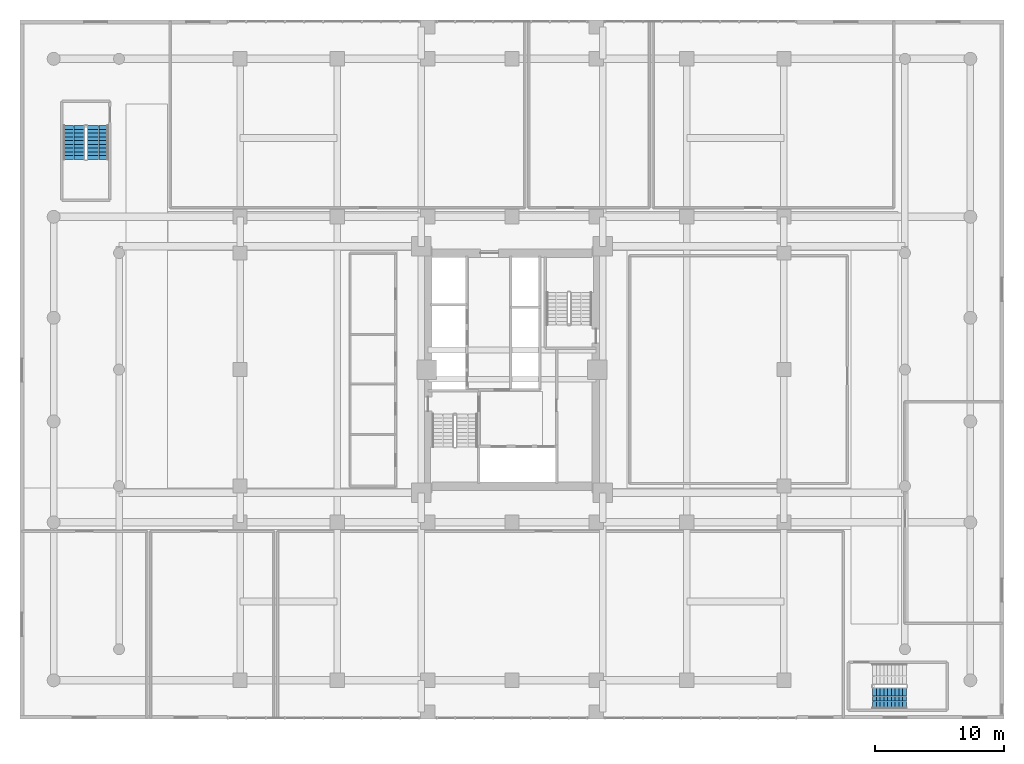
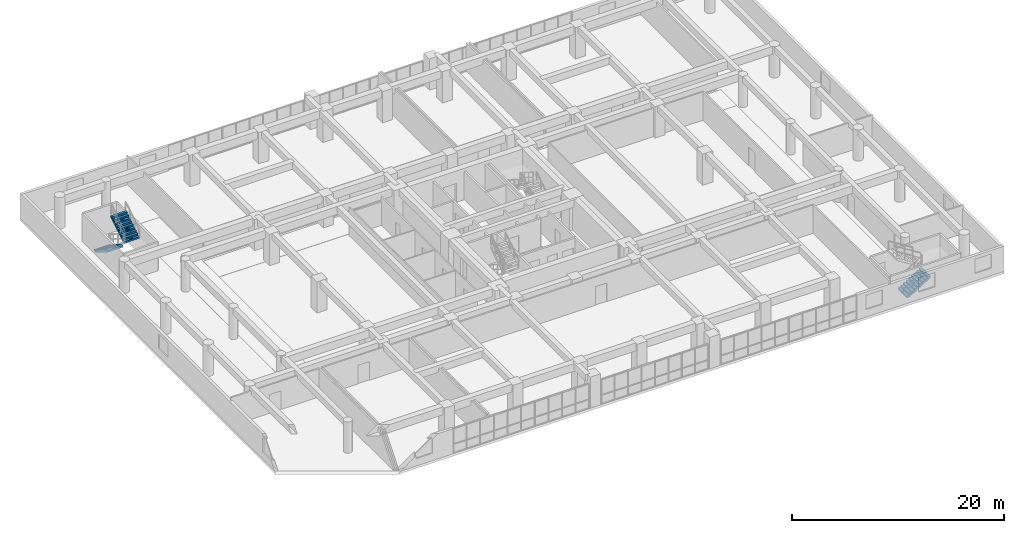
# One storey, part 23 of 30: 3 stair flights, 2 elements without a shape of their own.
"""IFC4 building model written with IfcOpenShell, lengths in metres."""

from ifc_helpers import new_model, si_unit, direction, frame, origin, place, context, subcontext, project, spatial, polyline, outline, extrude, material, type_object, element, aggregate, save


model = new_model("IFC4")

# Units and contexts
model_context = context("Model", 3, precision=1e-05, world=origin(), true_north=direction((0.0, 1.0)))
body_context = subcontext(model_context, "Body", "Model", "MODEL_VIEW")
ifc_project = project(units=[si_unit("LENGTHUNIT", "METRE"), si_unit("AREAUNIT", "SQUARE_METRE"), si_unit("VOLUMEUNIT", "CUBIC_METRE"), si_unit("PLANEANGLEUNIT", "RADIAN"), si_unit("MASSUNIT", "GRAM", prefix="KILO")], contexts=[model_context])

# Site, building, storey
site_placement = place(None, origin())
site = spatial("IfcSite", under=ifc_project, at=site_placement, CompositionType="ELEMENT")
building_placement = place(site_placement, origin())
building = spatial("IfcBuilding", under=site, at=building_placement, Name="Saelheon Loggia Tower", CompositionType="ELEMENT")
storey_placement = place(building_placement, frame((0.0, 0.0, 11.39990234375)))
storey = spatial("IfcBuildingStorey", under=building, at=storey_placement, Name="L03", CompositionType="ELEMENT", Elevation=11.39990234375)

# Stair, stair flights
ifc_material = material(Name="Concrete C40/50", Category="concrete")
stair_type = type_object("IfcStairType", Name="Stair_Escape_Podium", PredefinedType="HALF_TURN_STAIR", material=ifc_material)
stair_1_placement = place(storey_placement, origin())
stair_1 = element("IfcStair", 1, at=stair_1_placement, inside=storey, type_object=stair_type, Name="L03 Podium Escape Stair ST3", PredefinedType="HALF_TURN_STAIR")
stair_flight_type = type_object("IfcStairFlightType", Name="StairFlight_Podium_1660", PredefinedType="STRAIGHT", material=ifc_material)
stair_flight_1_placement = place(storey_placement, frame((4.179931640625, 45.85009765625, 0.0), z_axis=(0.0, 0.0, 1.0), x_axis=(0.0, -1.0, 0.0)))
stair_flight_1 = element("IfcStairFlight", 2, at=stair_flight_1_placement, type_object=stair_flight_type, Name="ST3 flight 1", NumberOfRisers=10, NumberOfTreads=9, PredefinedType="STRAIGHT", RiserHeight=0.18, TreadLength=0.29, context=body_context, shape_type="SweptSolid", body=[
    extrude(outline(polyline([(0.0, 0.0), (0.0, 0.179931640625), (0.2900390625, 0.179931640625), (0.2900390625, 0.360107421875), (0.580078125, 0.360107421875), (0.580078125, 0.5400390625), (0.8701171875, 0.5400390625), (0.8701171875, 0.719970703125), (1.159912109375, 0.719970703125), (1.159912109375, 0.89990234375), (1.449951171875, 0.89990234375), (1.449951171875, 1.080078125), (1.739990234375, 1.080078125), (1.739990234375, 1.260009765625), (2.030029296875, 1.260009765625), (2.030029296875, 1.43994140625), (2.320068359375, 1.43994140625), (2.320068359375, 1.6201171875), (2.610107421875, 1.6201171875), (2.610107421875, 1.800048828125), (2.610107421875, 1.408203125), (0.34130859375, 0.0), (0.0, 0.0)])), frame((0.0, -0.2490234375, 0.0), z_axis=(0.0, -1.0, 0.0), x_axis=(1.0, 0.0, 0.0)), (0.0, 0.0, 1.0), 0.5810546875),
    extrude(outline(polyline([(0.0, 0.0), (0.0, 0.179931640625), (0.2900390625, 0.179931640625), (0.2900390625, 0.360107421875), (0.580078125, 0.360107421875), (0.580078125, 0.5400390625), (0.8701171875, 0.5400390625), (0.8701171875, 0.719970703125), (1.159912109375, 0.719970703125), (1.159912109375, 0.89990234375), (1.449951171875, 0.89990234375), (1.449951171875, 1.080078125), (1.739990234375, 1.080078125), (1.739990234375, 1.260009765625), (2.030029296875, 1.260009765625), (2.030029296875, 1.43994140625), (2.320068359375, 1.43994140625), (2.320068359375, 1.6201171875), (2.610107421875, 1.6201171875), (2.610107421875, 1.800048828125), (2.610107421875, 1.408203125), (0.34130859375, 0.0), (0.0, 0.0)])), frame((0.0, -0.194091796875, 0.0), z_axis=(0.0, -1.0, 0.0), x_axis=(1.0, 0.0, 0.0)), (0.0, 0.0, 1.0), 0.0498046875),
    extrude(outline(polyline([(0.0, 0.0), (0.0, 0.179931640625), (0.2900390625, 0.179931640625), (0.2900390625, 0.360107421875), (0.580078125, 0.360107421875), (0.580078125, 0.5400390625), (0.8701171875, 0.5400390625), (0.8701171875, 0.719970703125), (1.159912109375, 0.719970703125), (1.159912109375, 0.89990234375), (1.449951171875, 0.89990234375), (1.449951171875, 1.080078125), (1.739990234375, 1.080078125), (1.739990234375, 1.260009765625), (2.030029296875, 1.260009765625), (2.030029296875, 1.43994140625), (2.320068359375, 1.43994140625), (2.320068359375, 1.6201171875), (2.610107421875, 1.6201171875), (2.610107421875, 1.800048828125), (2.610107421875, 1.408203125), (0.34130859375, 0.0), (0.0, 0.0)])), frame((0.0, -0.139404296875, 0.0), z_axis=(0.0, -1.0, 0.0), x_axis=(1.0, 0.0, 0.0)), (0.0, 0.0, 1.0), 0.0498046875),
    extrude(outline(polyline([(0.0, 0.0), (0.0, 0.179931640625), (0.2900390625, 0.179931640625), (0.2900390625, 0.360107421875), (0.580078125, 0.360107421875), (0.580078125, 0.5400390625), (0.8701171875, 0.5400390625), (0.8701171875, 0.719970703125), (1.159912109375, 0.719970703125), (1.159912109375, 0.89990234375), (1.449951171875, 0.89990234375), (1.449951171875, 1.080078125), (1.739990234375, 1.080078125), (1.739990234375, 1.260009765625), (2.030029296875, 1.260009765625), (2.030029296875, 1.43994140625), (2.320068359375, 1.43994140625), (2.320068359375, 1.6201171875), (2.610107421875, 1.6201171875), (2.610107421875, 1.800048828125), (2.610107421875, 1.408203125), (0.34130859375, 0.0), (0.0, 0.0)])), frame((0.0, -0.084716796875, 0.0), z_axis=(0.0, -1.0, 0.0), x_axis=(1.0, 0.0, 0.0)), (0.0, 0.0, 1.0), 0.0498046875),
    extrude(outline(polyline([(0.0, 0.0), (0.0, 0.179931640625), (0.2900390625, 0.179931640625), (0.2900390625, 0.360107421875), (0.580078125, 0.360107421875), (0.580078125, 0.5400390625), (0.8701171875, 0.5400390625), (0.8701171875, 0.719970703125), (1.159912109375, 0.719970703125), (1.159912109375, 0.89990234375), (1.449951171875, 0.89990234375), (1.449951171875, 1.080078125), (1.739990234375, 1.080078125), (1.739990234375, 1.260009765625), (2.030029296875, 1.260009765625), (2.030029296875, 1.43994140625), (2.320068359375, 1.43994140625), (2.320068359375, 1.6201171875), (2.610107421875, 1.6201171875), (2.610107421875, 1.800048828125), (2.610107421875, 1.408203125), (0.34130859375, 0.0), (0.0, 0.0)])), frame((0.0, -0.02978515625, 0.0), z_axis=(0.0, -1.0, 0.0), x_axis=(1.0, 0.0, 0.0)), (0.0, 0.0, 1.0), 0.0498046875),
    extrude(outline(polyline([(0.0, 0.0), (0.0, 0.179931640625), (0.2900390625, 0.179931640625), (0.2900390625, 0.360107421875), (0.580078125, 0.360107421875), (0.580078125, 0.5400390625), (0.8701171875, 0.5400390625), (0.8701171875, 0.719970703125), (1.159912109375, 0.719970703125), (1.159912109375, 0.89990234375), (1.449951171875, 0.89990234375), (1.449951171875, 1.080078125), (1.739990234375, 1.080078125), (1.739990234375, 1.260009765625), (2.030029296875, 1.260009765625), (2.030029296875, 1.43994140625), (2.320068359375, 1.43994140625), (2.320068359375, 1.6201171875), (2.610107421875, 1.6201171875), (2.610107421875, 1.800048828125), (2.610107421875, 1.408203125), (0.34130859375, 0.0), (0.0, 0.0)])), frame((0.0, 0.02490234375, 0.0), z_axis=(0.0, -1.0, 0.0), x_axis=(1.0, 0.0, 0.0)), (0.0, 0.0, 1.0), 0.0498046875),
    extrude(outline(polyline([(0.0, 0.0), (0.0, 0.179931640625), (0.2900390625, 0.179931640625), (0.2900390625, 0.360107421875), (0.580078125, 0.360107421875), (0.580078125, 0.5400390625), (0.8701171875, 0.5400390625), (0.8701171875, 0.719970703125), (1.159912109375, 0.719970703125), (1.159912109375, 0.89990234375), (1.449951171875, 0.89990234375), (1.449951171875, 1.080078125), (1.739990234375, 1.080078125), (1.739990234375, 1.260009765625), (2.030029296875, 1.260009765625), (2.030029296875, 1.43994140625), (2.320068359375, 1.43994140625), (2.320068359375, 1.6201171875), (2.610107421875, 1.6201171875), (2.610107421875, 1.800048828125), (2.610107421875, 1.408203125), (0.34130859375, 0.0), (0.0, 0.0)])), frame((0.0, 0.07958984375, 0.0), z_axis=(0.0, -1.0, 0.0), x_axis=(1.0, 0.0, 0.0)), (0.0, 0.0, 1.0), 0.0498046875),
    extrude(outline(polyline([(0.0, 0.0), (0.0, 0.179931640625), (0.2900390625, 0.179931640625), (0.2900390625, 0.360107421875), (0.580078125, 0.360107421875), (0.580078125, 0.5400390625), (0.8701171875, 0.5400390625), (0.8701171875, 0.719970703125), (1.159912109375, 0.719970703125), (1.159912109375, 0.89990234375), (1.449951171875, 0.89990234375), (1.449951171875, 1.080078125), (1.739990234375, 1.080078125), (1.739990234375, 1.260009765625), (2.030029296875, 1.260009765625), (2.030029296875, 1.43994140625), (2.320068359375, 1.43994140625), (2.320068359375, 1.6201171875), (2.610107421875, 1.6201171875), (2.610107421875, 1.800048828125), (2.610107421875, 1.408203125), (0.34130859375, 0.0), (0.0, 0.0)])), frame((0.0, 0.134521484375, 0.0), z_axis=(0.0, -1.0, 0.0), x_axis=(1.0, 0.0, 0.0)), (0.0, 0.0, 1.0), 0.0498046875),
    extrude(outline(polyline([(0.0, 0.0), (0.0, 0.179931640625), (0.2900390625, 0.179931640625), (0.2900390625, 0.360107421875), (0.580078125, 0.360107421875), (0.580078125, 0.5400390625), (0.8701171875, 0.5400390625), (0.8701171875, 0.719970703125), (1.159912109375, 0.719970703125), (1.159912109375, 0.89990234375), (1.449951171875, 0.89990234375), (1.449951171875, 1.080078125), (1.739990234375, 1.080078125), (1.739990234375, 1.260009765625), (2.030029296875, 1.260009765625), (2.030029296875, 1.43994140625), (2.320068359375, 1.43994140625), (2.320068359375, 1.6201171875), (2.610107421875, 1.6201171875), (2.610107421875, 1.800048828125), (2.610107421875, 1.408203125), (0.34130859375, 0.0), (0.0, 0.0)])), frame((0.0, 0.189208984375, 0.0), z_axis=(0.0, -1.0, 0.0), x_axis=(1.0, 0.0, 0.0)), (0.0, 0.0, 1.0), 0.0498046875),
    extrude(outline(polyline([(0.0, 0.0), (0.0, 0.179931640625), (0.2900390625, 0.179931640625), (0.2900390625, 0.360107421875), (0.580078125, 0.360107421875), (0.580078125, 0.5400390625), (0.8701171875, 0.5400390625), (0.8701171875, 0.719970703125), (1.159912109375, 0.719970703125), (1.159912109375, 0.89990234375), (1.449951171875, 0.89990234375), (1.449951171875, 1.080078125), (1.739990234375, 1.080078125), (1.739990234375, 1.260009765625), (2.030029296875, 1.260009765625), (2.030029296875, 1.43994140625), (2.320068359375, 1.43994140625), (2.320068359375, 1.6201171875), (2.610107421875, 1.6201171875), (2.610107421875, 1.800048828125), (2.610107421875, 1.408203125), (0.34130859375, 0.0), (0.0, 0.0)])), frame((0.0, 0.243896484375, 0.0), z_axis=(0.0, -1.0, 0.0), x_axis=(1.0, 0.0, 0.0)), (0.0, 0.0, 1.0), 0.0498046875),
    extrude(outline(polyline([(0.0, 0.0), (0.0, 0.179931640625), (0.2900390625, 0.179931640625), (0.2900390625, 0.360107421875), (0.580078125, 0.360107421875), (0.580078125, 0.5400390625), (0.8701171875, 0.5400390625), (0.8701171875, 0.719970703125), (1.159912109375, 0.719970703125), (1.159912109375, 0.89990234375), (1.449951171875, 0.89990234375), (1.449951171875, 1.080078125), (1.739990234375, 1.080078125), (1.739990234375, 1.260009765625), (2.030029296875, 1.260009765625), (2.030029296875, 1.43994140625), (2.320068359375, 1.43994140625), (2.320068359375, 1.6201171875), (2.610107421875, 1.6201171875), (2.610107421875, 1.800048828125), (2.610107421875, 1.408203125), (0.34130859375, 0.0), (0.0, 0.0)])), frame((0.0, 0.830078125, 0.0), z_axis=(0.0, -1.0, 0.0), x_axis=(1.0, 0.0, 0.0)), (0.0, 0.0, 1.0), 0.5810546875),
])
stair_flight_2_placement = place(storey_placement, frame((6.0, 43.239990234375, 1.800048828125), z_axis=(0.0, 0.0, 1.0), x_axis=(0.0, 1.0, 0.0)))
stair_flight_2 = element("IfcStairFlight", 3, at=stair_flight_2_placement, type_object=stair_flight_type, Name="ST3 flight 2", NumberOfRisers=10, NumberOfTreads=9, PredefinedType="STRAIGHT", RiserHeight=0.18, TreadLength=0.29, context=body_context, shape_type="SweptSolid", body=[
    extrude(outline(polyline([(0.0, 0.0), (0.0, 0.179931640625), (0.2900390625, 0.179931640625), (0.2900390625, 0.360107421875), (0.580078125, 0.360107421875), (0.580078125, 0.5400390625), (0.8701171875, 0.5400390625), (0.8701171875, 0.719970703125), (1.159912109375, 0.719970703125), (1.159912109375, 0.89990234375), (1.449951171875, 0.89990234375), (1.449951171875, 1.080078125), (1.739990234375, 1.080078125), (1.739990234375, 1.260009765625), (2.030029296875, 1.260009765625), (2.030029296875, 1.43994140625), (2.320068359375, 1.43994140625), (2.320068359375, 1.6201171875), (2.610107421875, 1.6201171875), (2.610107421875, 1.800048828125), (2.610107421875, 1.408203125), (0.34130859375, 0.0), (0.0, 0.0)])), frame((0.0, -0.2490234375, 0.0), z_axis=(0.0, -1.0, 0.0), x_axis=(1.0, 0.0, 0.0)), (0.0, 0.0, 1.0), 0.5810546875),
    extrude(outline(polyline([(0.0, 0.0), (0.0, 0.179931640625), (0.2900390625, 0.179931640625), (0.2900390625, 0.360107421875), (0.580078125, 0.360107421875), (0.580078125, 0.5400390625), (0.8701171875, 0.5400390625), (0.8701171875, 0.719970703125), (1.159912109375, 0.719970703125), (1.159912109375, 0.89990234375), (1.449951171875, 0.89990234375), (1.449951171875, 1.080078125), (1.739990234375, 1.080078125), (1.739990234375, 1.260009765625), (2.030029296875, 1.260009765625), (2.030029296875, 1.43994140625), (2.320068359375, 1.43994140625), (2.320068359375, 1.6201171875), (2.610107421875, 1.6201171875), (2.610107421875, 1.800048828125), (2.610107421875, 1.408203125), (0.34130859375, 0.0), (0.0, 0.0)])), frame((0.0, -0.194091796875, 0.0), z_axis=(0.0, -1.0, 0.0), x_axis=(1.0, 0.0, 0.0)), (0.0, 0.0, 1.0), 0.0498046875),
    extrude(outline(polyline([(0.0, 0.0), (0.0, 0.179931640625), (0.2900390625, 0.179931640625), (0.2900390625, 0.360107421875), (0.580078125, 0.360107421875), (0.580078125, 0.5400390625), (0.8701171875, 0.5400390625), (0.8701171875, 0.719970703125), (1.159912109375, 0.719970703125), (1.159912109375, 0.89990234375), (1.449951171875, 0.89990234375), (1.449951171875, 1.080078125), (1.739990234375, 1.080078125), (1.739990234375, 1.260009765625), (2.030029296875, 1.260009765625), (2.030029296875, 1.43994140625), (2.320068359375, 1.43994140625), (2.320068359375, 1.6201171875), (2.610107421875, 1.6201171875), (2.610107421875, 1.800048828125), (2.610107421875, 1.408203125), (0.34130859375, 0.0), (0.0, 0.0)])), frame((0.0, -0.139404296875, 0.0), z_axis=(0.0, -1.0, 0.0), x_axis=(1.0, 0.0, 0.0)), (0.0, 0.0, 1.0), 0.0498046875),
    extrude(outline(polyline([(0.0, 0.0), (0.0, 0.179931640625), (0.2900390625, 0.179931640625), (0.2900390625, 0.360107421875), (0.580078125, 0.360107421875), (0.580078125, 0.5400390625), (0.8701171875, 0.5400390625), (0.8701171875, 0.719970703125), (1.159912109375, 0.719970703125), (1.159912109375, 0.89990234375), (1.449951171875, 0.89990234375), (1.449951171875, 1.080078125), (1.739990234375, 1.080078125), (1.739990234375, 1.260009765625), (2.030029296875, 1.260009765625), (2.030029296875, 1.43994140625), (2.320068359375, 1.43994140625), (2.320068359375, 1.6201171875), (2.610107421875, 1.6201171875), (2.610107421875, 1.800048828125), (2.610107421875, 1.408203125), (0.34130859375, 0.0), (0.0, 0.0)])), frame((0.0, -0.084716796875, 0.0), z_axis=(0.0, -1.0, 0.0), x_axis=(1.0, 0.0, 0.0)), (0.0, 0.0, 1.0), 0.0498046875),
    extrude(outline(polyline([(0.0, 0.0), (0.0, 0.179931640625), (0.2900390625, 0.179931640625), (0.2900390625, 0.360107421875), (0.580078125, 0.360107421875), (0.580078125, 0.5400390625), (0.8701171875, 0.5400390625), (0.8701171875, 0.719970703125), (1.159912109375, 0.719970703125), (1.159912109375, 0.89990234375), (1.449951171875, 0.89990234375), (1.449951171875, 1.080078125), (1.739990234375, 1.080078125), (1.739990234375, 1.260009765625), (2.030029296875, 1.260009765625), (2.030029296875, 1.43994140625), (2.320068359375, 1.43994140625), (2.320068359375, 1.6201171875), (2.610107421875, 1.6201171875), (2.610107421875, 1.800048828125), (2.610107421875, 1.408203125), (0.34130859375, 0.0), (0.0, 0.0)])), frame((0.0, -0.02978515625, 0.0), z_axis=(0.0, -1.0, 0.0), x_axis=(1.0, 0.0, 0.0)), (0.0, 0.0, 1.0), 0.0498046875),
    extrude(outline(polyline([(0.0, 0.0), (0.0, 0.179931640625), (0.2900390625, 0.179931640625), (0.2900390625, 0.360107421875), (0.580078125, 0.360107421875), (0.580078125, 0.5400390625), (0.8701171875, 0.5400390625), (0.8701171875, 0.719970703125), (1.159912109375, 0.719970703125), (1.159912109375, 0.89990234375), (1.449951171875, 0.89990234375), (1.449951171875, 1.080078125), (1.739990234375, 1.080078125), (1.739990234375, 1.260009765625), (2.030029296875, 1.260009765625), (2.030029296875, 1.43994140625), (2.320068359375, 1.43994140625), (2.320068359375, 1.6201171875), (2.610107421875, 1.6201171875), (2.610107421875, 1.800048828125), (2.610107421875, 1.408203125), (0.34130859375, 0.0), (0.0, 0.0)])), frame((0.0, 0.02490234375, 0.0), z_axis=(0.0, -1.0, 0.0), x_axis=(1.0, 0.0, 0.0)), (0.0, 0.0, 1.0), 0.0498046875),
    extrude(outline(polyline([(0.0, 0.0), (0.0, 0.179931640625), (0.2900390625, 0.179931640625), (0.2900390625, 0.360107421875), (0.580078125, 0.360107421875), (0.580078125, 0.5400390625), (0.8701171875, 0.5400390625), (0.8701171875, 0.719970703125), (1.159912109375, 0.719970703125), (1.159912109375, 0.89990234375), (1.449951171875, 0.89990234375), (1.449951171875, 1.080078125), (1.739990234375, 1.080078125), (1.739990234375, 1.260009765625), (2.030029296875, 1.260009765625), (2.030029296875, 1.43994140625), (2.320068359375, 1.43994140625), (2.320068359375, 1.6201171875), (2.610107421875, 1.6201171875), (2.610107421875, 1.800048828125), (2.610107421875, 1.408203125), (0.34130859375, 0.0), (0.0, 0.0)])), frame((0.0, 0.07958984375, 0.0), z_axis=(0.0, -1.0, 0.0), x_axis=(1.0, 0.0, 0.0)), (0.0, 0.0, 1.0), 0.0498046875),
    extrude(outline(polyline([(0.0, 0.0), (0.0, 0.179931640625), (0.2900390625, 0.179931640625), (0.2900390625, 0.360107421875), (0.580078125, 0.360107421875), (0.580078125, 0.5400390625), (0.8701171875, 0.5400390625), (0.8701171875, 0.719970703125), (1.159912109375, 0.719970703125), (1.159912109375, 0.89990234375), (1.449951171875, 0.89990234375), (1.449951171875, 1.080078125), (1.739990234375, 1.080078125), (1.739990234375, 1.260009765625), (2.030029296875, 1.260009765625), (2.030029296875, 1.43994140625), (2.320068359375, 1.43994140625), (2.320068359375, 1.6201171875), (2.610107421875, 1.6201171875), (2.610107421875, 1.800048828125), (2.610107421875, 1.408203125), (0.34130859375, 0.0), (0.0, 0.0)])), frame((0.0, 0.134521484375, 0.0), z_axis=(0.0, -1.0, 0.0), x_axis=(1.0, 0.0, 0.0)), (0.0, 0.0, 1.0), 0.0498046875),
    extrude(outline(polyline([(0.0, 0.0), (0.0, 0.179931640625), (0.2900390625, 0.179931640625), (0.2900390625, 0.360107421875), (0.580078125, 0.360107421875), (0.580078125, 0.5400390625), (0.8701171875, 0.5400390625), (0.8701171875, 0.719970703125), (1.159912109375, 0.719970703125), (1.159912109375, 0.89990234375), (1.449951171875, 0.89990234375), (1.449951171875, 1.080078125), (1.739990234375, 1.080078125), (1.739990234375, 1.260009765625), (2.030029296875, 1.260009765625), (2.030029296875, 1.43994140625), (2.320068359375, 1.43994140625), (2.320068359375, 1.6201171875), (2.610107421875, 1.6201171875), (2.610107421875, 1.800048828125), (2.610107421875, 1.408203125), (0.34130859375, 0.0), (0.0, 0.0)])), frame((0.0, 0.189208984375, 0.0), z_axis=(0.0, -1.0, 0.0), x_axis=(1.0, 0.0, 0.0)), (0.0, 0.0, 1.0), 0.0498046875),
    extrude(outline(polyline([(0.0, 0.0), (0.0, 0.179931640625), (0.2900390625, 0.179931640625), (0.2900390625, 0.360107421875), (0.580078125, 0.360107421875), (0.580078125, 0.5400390625), (0.8701171875, 0.5400390625), (0.8701171875, 0.719970703125), (1.159912109375, 0.719970703125), (1.159912109375, 0.89990234375), (1.449951171875, 0.89990234375), (1.449951171875, 1.080078125), (1.739990234375, 1.080078125), (1.739990234375, 1.260009765625), (2.030029296875, 1.260009765625), (2.030029296875, 1.43994140625), (2.320068359375, 1.43994140625), (2.320068359375, 1.6201171875), (2.610107421875, 1.6201171875), (2.610107421875, 1.800048828125), (2.610107421875, 1.408203125), (0.34130859375, 0.0), (0.0, 0.0)])), frame((0.0, 0.243896484375, 0.0), z_axis=(0.0, -1.0, 0.0), x_axis=(1.0, 0.0, 0.0)), (0.0, 0.0, 1.0), 0.0498046875),
    extrude(outline(polyline([(0.0, 0.0), (0.0, 0.179931640625), (0.2900390625, 0.179931640625), (0.2900390625, 0.360107421875), (0.580078125, 0.360107421875), (0.580078125, 0.5400390625), (0.8701171875, 0.5400390625), (0.8701171875, 0.719970703125), (1.159912109375, 0.719970703125), (1.159912109375, 0.89990234375), (1.449951171875, 0.89990234375), (1.449951171875, 1.080078125), (1.739990234375, 1.080078125), (1.739990234375, 1.260009765625), (2.030029296875, 1.260009765625), (2.030029296875, 1.43994140625), (2.320068359375, 1.43994140625), (2.320068359375, 1.6201171875), (2.610107421875, 1.6201171875), (2.610107421875, 1.800048828125), (2.610107421875, 1.408203125), (0.34130859375, 0.0), (0.0, 0.0)])), frame((0.0, 0.830078125, 0.0), z_axis=(0.0, -1.0, 0.0), x_axis=(1.0, 0.0, 0.0)), (0.0, 0.0, 1.0), 0.5810546875),
])
aggregate(stair_1, [stair_flight_1, stair_flight_2])

# Stair, stair flight
stair_2_placement = place(storey_placement, origin())
stair_2 = element("IfcStair", 4, at=stair_2_placement, inside=storey, type_object=stair_type, Name="L03 Podium Escape Stair ST4", PredefinedType="HALF_TURN_STAIR")
stair_flight_3_placement = place(storey_placement, frame((65.85009765625, 1.6298828125, 0.0), z_axis=(0.0, 0.0, 1.0), x_axis=(1.0, 0.0, 0.0)))
stair_flight_3 = element("IfcStairFlight", 5, at=stair_flight_3_placement, type_object=stair_flight_type, Name="ST4 flight 1", NumberOfRisers=10, NumberOfTreads=9, PredefinedType="STRAIGHT", RiserHeight=0.18, TreadLength=0.29, context=body_context, shape_type="SweptSolid", body=[
    extrude(outline(polyline([(0.0, 0.0), (0.0, 0.179931640625), (0.2900390625, 0.179931640625), (0.2900390625, 0.360107421875), (0.580078125, 0.360107421875), (0.580078125, 0.5400390625), (0.8701171875, 0.5400390625), (0.8701171875, 0.719970703125), (1.159912109375, 0.719970703125), (1.159912109375, 0.89990234375), (1.449951171875, 0.89990234375), (1.449951171875, 1.080078125), (1.739990234375, 1.080078125), (1.739990234375, 1.260009765625), (2.030029296875, 1.260009765625), (2.030029296875, 1.43994140625), (2.320068359375, 1.43994140625), (2.320068359375, 1.6201171875), (2.610107421875, 1.6201171875), (2.610107421875, 1.800048828125), (2.610107421875, 1.408203125), (0.34130859375, 0.0), (0.0, 0.0)])), frame((0.0, -0.2490234375, 0.0), z_axis=(0.0, -1.0, 0.0), x_axis=(1.0, 0.0, 0.0)), (0.0, 0.0, 1.0), 0.5810546875),
    extrude(outline(polyline([(0.0, 0.0), (0.0, 0.179931640625), (0.2900390625, 0.179931640625), (0.2900390625, 0.360107421875), (0.580078125, 0.360107421875), (0.580078125, 0.5400390625), (0.8701171875, 0.5400390625), (0.8701171875, 0.719970703125), (1.159912109375, 0.719970703125), (1.159912109375, 0.89990234375), (1.449951171875, 0.89990234375), (1.449951171875, 1.080078125), (1.739990234375, 1.080078125), (1.739990234375, 1.260009765625), (2.030029296875, 1.260009765625), (2.030029296875, 1.43994140625), (2.320068359375, 1.43994140625), (2.320068359375, 1.6201171875), (2.610107421875, 1.6201171875), (2.610107421875, 1.800048828125), (2.610107421875, 1.408203125), (0.34130859375, 0.0), (0.0, 0.0)])), frame((0.0, -0.194091796875, 0.0), z_axis=(0.0, -1.0, 0.0), x_axis=(1.0, 0.0, 0.0)), (0.0, 0.0, 1.0), 0.0498046875),
    extrude(outline(polyline([(0.0, 0.0), (0.0, 0.179931640625), (0.2900390625, 0.179931640625), (0.2900390625, 0.360107421875), (0.580078125, 0.360107421875), (0.580078125, 0.5400390625), (0.8701171875, 0.5400390625), (0.8701171875, 0.719970703125), (1.159912109375, 0.719970703125), (1.159912109375, 0.89990234375), (1.449951171875, 0.89990234375), (1.449951171875, 1.080078125), (1.739990234375, 1.080078125), (1.739990234375, 1.260009765625), (2.030029296875, 1.260009765625), (2.030029296875, 1.43994140625), (2.320068359375, 1.43994140625), (2.320068359375, 1.6201171875), (2.610107421875, 1.6201171875), (2.610107421875, 1.800048828125), (2.610107421875, 1.408203125), (0.34130859375, 0.0), (0.0, 0.0)])), frame((0.0, -0.139404296875, 0.0), z_axis=(0.0, -1.0, 0.0), x_axis=(1.0, 0.0, 0.0)), (0.0, 0.0, 1.0), 0.0498046875),
    extrude(outline(polyline([(0.0, 0.0), (0.0, 0.179931640625), (0.2900390625, 0.179931640625), (0.2900390625, 0.360107421875), (0.580078125, 0.360107421875), (0.580078125, 0.5400390625), (0.8701171875, 0.5400390625), (0.8701171875, 0.719970703125), (1.159912109375, 0.719970703125), (1.159912109375, 0.89990234375), (1.449951171875, 0.89990234375), (1.449951171875, 1.080078125), (1.739990234375, 1.080078125), (1.739990234375, 1.260009765625), (2.030029296875, 1.260009765625), (2.030029296875, 1.43994140625), (2.320068359375, 1.43994140625), (2.320068359375, 1.6201171875), (2.610107421875, 1.6201171875), (2.610107421875, 1.800048828125), (2.610107421875, 1.408203125), (0.34130859375, 0.0), (0.0, 0.0)])), frame((0.0, -0.084716796875, 0.0), z_axis=(0.0, -1.0, 0.0), x_axis=(1.0, 0.0, 0.0)), (0.0, 0.0, 1.0), 0.0498046875),
    extrude(outline(polyline([(0.0, 0.0), (0.0, 0.179931640625), (0.2900390625, 0.179931640625), (0.2900390625, 0.360107421875), (0.580078125, 0.360107421875), (0.580078125, 0.5400390625), (0.8701171875, 0.5400390625), (0.8701171875, 0.719970703125), (1.159912109375, 0.719970703125), (1.159912109375, 0.89990234375), (1.449951171875, 0.89990234375), (1.449951171875, 1.080078125), (1.739990234375, 1.080078125), (1.739990234375, 1.260009765625), (2.030029296875, 1.260009765625), (2.030029296875, 1.43994140625), (2.320068359375, 1.43994140625), (2.320068359375, 1.6201171875), (2.610107421875, 1.6201171875), (2.610107421875, 1.800048828125), (2.610107421875, 1.408203125), (0.34130859375, 0.0), (0.0, 0.0)])), frame((0.0, -0.02978515625, 0.0), z_axis=(0.0, -1.0, 0.0), x_axis=(1.0, 0.0, 0.0)), (0.0, 0.0, 1.0), 0.0498046875),
    extrude(outline(polyline([(0.0, 0.0), (0.0, 0.179931640625), (0.2900390625, 0.179931640625), (0.2900390625, 0.360107421875), (0.580078125, 0.360107421875), (0.580078125, 0.5400390625), (0.8701171875, 0.5400390625), (0.8701171875, 0.719970703125), (1.159912109375, 0.719970703125), (1.159912109375, 0.89990234375), (1.449951171875, 0.89990234375), (1.449951171875, 1.080078125), (1.739990234375, 1.080078125), (1.739990234375, 1.260009765625), (2.030029296875, 1.260009765625), (2.030029296875, 1.43994140625), (2.320068359375, 1.43994140625), (2.320068359375, 1.6201171875), (2.610107421875, 1.6201171875), (2.610107421875, 1.800048828125), (2.610107421875, 1.408203125), (0.34130859375, 0.0), (0.0, 0.0)])), frame((0.0, 0.02490234375, 0.0), z_axis=(0.0, -1.0, 0.0), x_axis=(1.0, 0.0, 0.0)), (0.0, 0.0, 1.0), 0.0498046875),
    extrude(outline(polyline([(0.0, 0.0), (0.0, 0.179931640625), (0.2900390625, 0.179931640625), (0.2900390625, 0.360107421875), (0.580078125, 0.360107421875), (0.580078125, 0.5400390625), (0.8701171875, 0.5400390625), (0.8701171875, 0.719970703125), (1.159912109375, 0.719970703125), (1.159912109375, 0.89990234375), (1.449951171875, 0.89990234375), (1.449951171875, 1.080078125), (1.739990234375, 1.080078125), (1.739990234375, 1.260009765625), (2.030029296875, 1.260009765625), (2.030029296875, 1.43994140625), (2.320068359375, 1.43994140625), (2.320068359375, 1.6201171875), (2.610107421875, 1.6201171875), (2.610107421875, 1.800048828125), (2.610107421875, 1.408203125), (0.34130859375, 0.0), (0.0, 0.0)])), frame((0.0, 0.07958984375, 0.0), z_axis=(0.0, -1.0, 0.0), x_axis=(1.0, 0.0, 0.0)), (0.0, 0.0, 1.0), 0.0498046875),
    extrude(outline(polyline([(0.0, 0.0), (0.0, 0.179931640625), (0.2900390625, 0.179931640625), (0.2900390625, 0.360107421875), (0.580078125, 0.360107421875), (0.580078125, 0.5400390625), (0.8701171875, 0.5400390625), (0.8701171875, 0.719970703125), (1.159912109375, 0.719970703125), (1.159912109375, 0.89990234375), (1.449951171875, 0.89990234375), (1.449951171875, 1.080078125), (1.739990234375, 1.080078125), (1.739990234375, 1.260009765625), (2.030029296875, 1.260009765625), (2.030029296875, 1.43994140625), (2.320068359375, 1.43994140625), (2.320068359375, 1.6201171875), (2.610107421875, 1.6201171875), (2.610107421875, 1.800048828125), (2.610107421875, 1.408203125), (0.34130859375, 0.0), (0.0, 0.0)])), frame((0.0, 0.134521484375, 0.0), z_axis=(0.0, -1.0, 0.0), x_axis=(1.0, 0.0, 0.0)), (0.0, 0.0, 1.0), 0.0498046875),
    extrude(outline(polyline([(0.0, 0.0), (0.0, 0.179931640625), (0.2900390625, 0.179931640625), (0.2900390625, 0.360107421875), (0.580078125, 0.360107421875), (0.580078125, 0.5400390625), (0.8701171875, 0.5400390625), (0.8701171875, 0.719970703125), (1.159912109375, 0.719970703125), (1.159912109375, 0.89990234375), (1.449951171875, 0.89990234375), (1.449951171875, 1.080078125), (1.739990234375, 1.080078125), (1.739990234375, 1.260009765625), (2.030029296875, 1.260009765625), (2.030029296875, 1.43994140625), (2.320068359375, 1.43994140625), (2.320068359375, 1.6201171875), (2.610107421875, 1.6201171875), (2.610107421875, 1.800048828125), (2.610107421875, 1.408203125), (0.34130859375, 0.0), (0.0, 0.0)])), frame((0.0, 0.189208984375, 0.0), z_axis=(0.0, -1.0, 0.0), x_axis=(1.0, 0.0, 0.0)), (0.0, 0.0, 1.0), 0.0498046875),
    extrude(outline(polyline([(0.0, 0.0), (0.0, 0.179931640625), (0.2900390625, 0.179931640625), (0.2900390625, 0.360107421875), (0.580078125, 0.360107421875), (0.580078125, 0.5400390625), (0.8701171875, 0.5400390625), (0.8701171875, 0.719970703125), (1.159912109375, 0.719970703125), (1.159912109375, 0.89990234375), (1.449951171875, 0.89990234375), (1.449951171875, 1.080078125), (1.739990234375, 1.080078125), (1.739990234375, 1.260009765625), (2.030029296875, 1.260009765625), (2.030029296875, 1.43994140625), (2.320068359375, 1.43994140625), (2.320068359375, 1.6201171875), (2.610107421875, 1.6201171875), (2.610107421875, 1.800048828125), (2.610107421875, 1.408203125), (0.34130859375, 0.0), (0.0, 0.0)])), frame((0.0, 0.243896484375, 0.0), z_axis=(0.0, -1.0, 0.0), x_axis=(1.0, 0.0, 0.0)), (0.0, 0.0, 1.0), 0.0498046875),
    extrude(outline(polyline([(0.0, 0.0), (0.0, 0.179931640625), (0.2900390625, 0.179931640625), (0.2900390625, 0.360107421875), (0.580078125, 0.360107421875), (0.580078125, 0.5400390625), (0.8701171875, 0.5400390625), (0.8701171875, 0.719970703125), (1.159912109375, 0.719970703125), (1.159912109375, 0.89990234375), (1.449951171875, 0.89990234375), (1.449951171875, 1.080078125), (1.739990234375, 1.080078125), (1.739990234375, 1.260009765625), (2.030029296875, 1.260009765625), (2.030029296875, 1.43994140625), (2.320068359375, 1.43994140625), (2.320068359375, 1.6201171875), (2.610107421875, 1.6201171875), (2.610107421875, 1.800048828125), (2.610107421875, 1.408203125), (0.34130859375, 0.0), (0.0, 0.0)])), frame((0.0, 0.830078125, 0.0), z_axis=(0.0, -1.0, 0.0), x_axis=(1.0, 0.0, 0.0)), (0.0, 0.0, 1.0), 0.5810546875),
])
aggregate(stair_2, [stair_flight_3])

save(model, "model.ifc")
